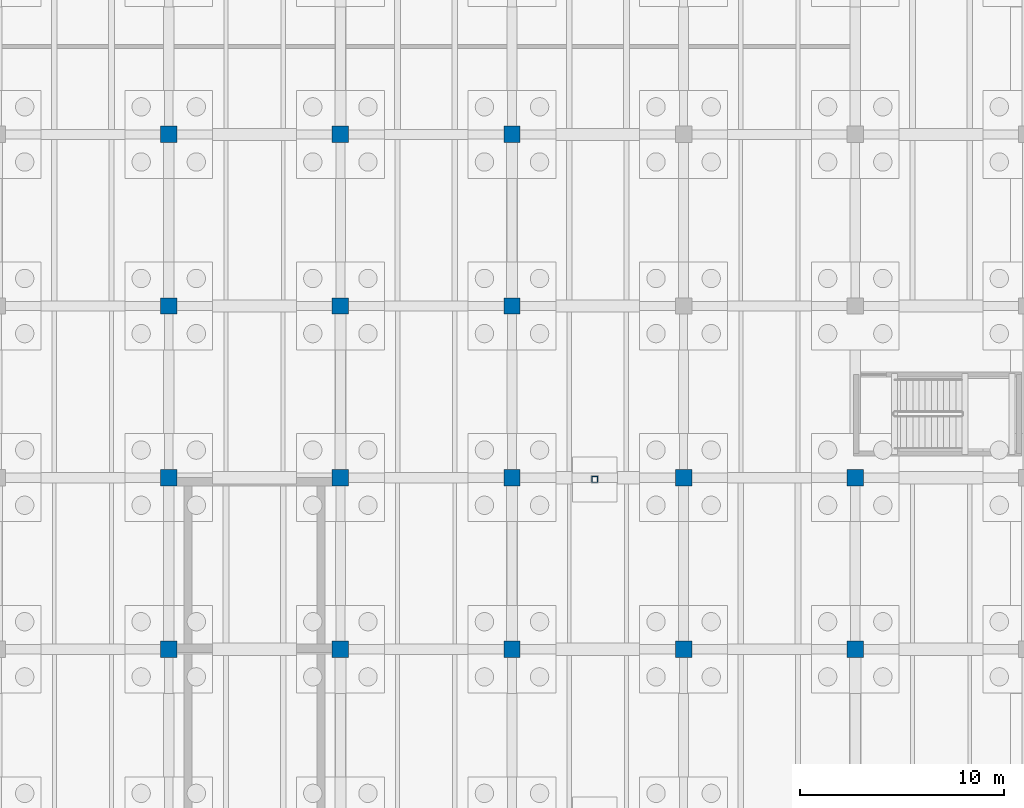
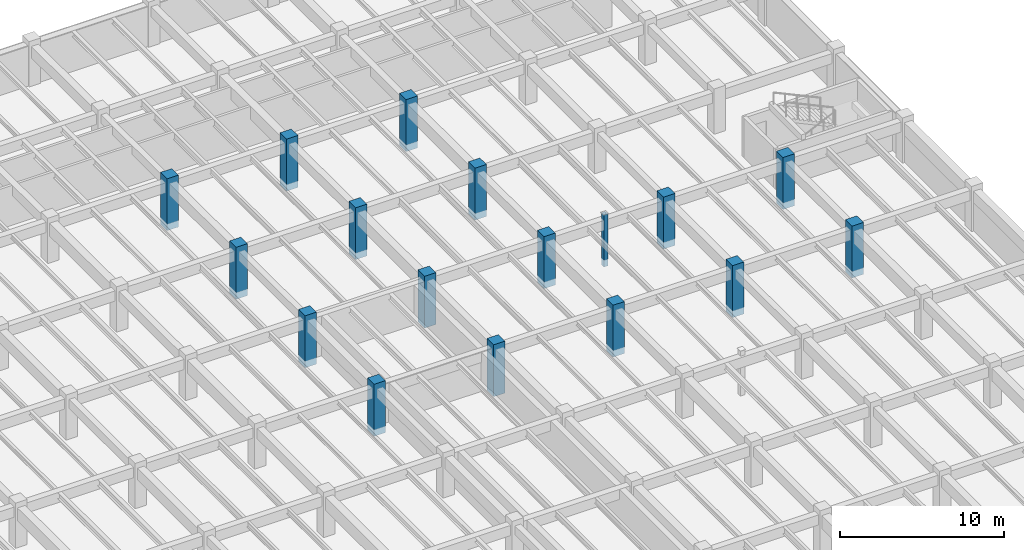
# One storey, part 23 of 70: 17 columns.
"""IFC4 building model written with IfcOpenShell, lengths in metres."""

import ifcopenshell
import ifcopenshell.guid

model = None  # the IFC model being written
_history = None  # IfcOwnerHistory: only IFC2X3 demands one
_inside = {}  # id of a spatial element -> (the spatial element, [elements in it])
_under = {}  # id of a project, library or spatial element -> (it, [spatial elements below it])
_declared = {}  # id of a project -> (the project, [libraries it declares])
_typed = {}  # id of a type object -> (the type object, [elements of that type])
_made_of = {}  # id of a material, layer set ... -> (it, [elements and type objects made of it])


def new_model(schema):
    """Start an empty IFC model of exactly this schema.

    Asked for "IFC4X3", IfcOpenShell would pick the latest addendum, in which some entities
    have other attributes; the version numbers below select the first issue.
    IFC2X3 requires an IfcOwnerHistory on every rooted entity: one is made here for all.
    """
    global model, _history
    if schema == "IFC4X3":
        model = ifcopenshell.file(schema_version=(4, 3, 0, 0))
    else:
        model = ifcopenshell.file(schema=schema)
    _inside.clear()
    _under.clear()
    _declared.clear()
    _typed.clear()
    _made_of.clear()
    _history = None
    if model.schema == "IFC2X3":
        org = make("IfcOrganization", Name="unknown")
        user = make(
            "IfcPersonAndOrganization",
            ThePerson=make("IfcPerson", FamilyName="unknown"),
            TheOrganization=org,
        )
        app = make(
            "IfcApplication",
            ApplicationDeveloper=org,
            Version="unknown",
            ApplicationFullName="unknown",
            ApplicationIdentifier="unknown",
        )
        _history = make(
            "IfcOwnerHistory",
            OwningUser=user,
            OwningApplication=app,
            ChangeAction="ADDED",
            CreationDate=0,
        )
    return model


def make(cls, **values):
    """One entity of the class cls with the attributes given. An attribute that is None is left unset."""
    return model.create_entity(
        cls, **{name: value for name, value in values.items() if value is not None}
    )


def rooted(cls, **values):
    """An entity with a GlobalId (a new one), such as an element, a storey or a relation."""
    return make(cls, GlobalId=ifcopenshell.guid.new(), OwnerHistory=_history, **values)


def si_unit(unit_type, name, prefix=None):
    """IfcSIUnit, for example si_unit("LENGTHUNIT", "METRE", prefix="MILLI")."""
    return make("IfcSIUnit", UnitType=unit_type, Prefix=prefix, Name=name)


def assignment(units):
    """IfcUnitAssignment: the units of a project."""
    return None if units is None else make("IfcUnitAssignment", Units=units)


def point(xyz):
    """IfcCartesianPoint."""
    return None if xyz is None else make("IfcCartesianPoint", Coordinates=xyz)


def direction(xyz):
    """IfcDirection."""
    return None if xyz is None else make("IfcDirection", DirectionRatios=xyz)


def frame(location, z_axis=None, x_axis=None):
    """IfcAxis2Placement3D, a coordinate frame: its origin and axes. An axis left out is left unset."""
    return make(
        "IfcAxis2Placement3D",
        Location=point(location),
        Axis=direction(z_axis),
        RefDirection=direction(x_axis),
    )


def frame_2d(location, x_axis=None):
    """IfcAxis2Placement2D, a coordinate frame in the plane: its origin and x axis."""
    return make(
        "IfcAxis2Placement2D", Location=point(location), RefDirection=direction(x_axis)
    )


def origin():
    """The frame at (0, 0, 0) with its axes left unset."""
    return frame((0.0, 0.0, 0.0))


def origin_2d():
    """The frame at (0, 0) in the plane with its x axis left unset."""
    return frame_2d((0.0, 0.0))


def place(relative_to, where):
    """IfcLocalPlacement: puts the frame where relative to a parent placement (None: the world)."""
    return make(
        "IfcLocalPlacement", PlacementRelTo=relative_to, RelativePlacement=where
    )


def context(
    kind, dimensions, precision=None, world=None, true_north=None, identifier=None
):
    """IfcGeometricRepresentationContext, for example the 3D "Model" context."""
    return make(
        "IfcGeometricRepresentationContext",
        ContextIdentifier=identifier,
        ContextType=kind,
        CoordinateSpaceDimension=dimensions,
        Precision=precision,
        WorldCoordinateSystem=world,
        TrueNorth=true_north,
    )


def subcontext(parent, identifier, kind, view, scale=None):
    """IfcGeometricRepresentationSubContext, for example "Body" below "Model"."""
    return make(
        "IfcGeometricRepresentationSubContext",
        ContextIdentifier=identifier,
        ContextType=kind,
        ParentContext=parent,
        TargetScale=scale,
        TargetView=view,
    )


def project(units=None, contexts=None):
    """IfcProject with its units and contexts."""
    return rooted(
        "IfcProject",
        Name="project",
        RepresentationContexts=contexts,
        UnitsInContext=assignment(units),
    )


def spatial(cls, under=None, at=None, **own):
    """A site, building, storey or space (cls), placed at a placement, below another one or the project."""
    s = rooted(cls, ObjectPlacement=at, **own)
    if under is not None:
        _under.setdefault(under.id(), (under, []))[1].append(s)
    return s


def profile(cls, at=None, kind="AREA", **sizes):
    """A parametric profile (cls). Its sizes go by their IFC names, for example OverallWidth=200.0."""
    return make(cls, ProfileType=kind, Position=at, **sizes)


def rectangle(**sizes):
    """IfcRectangleProfileDef."""
    return profile("IfcRectangleProfileDef", **sizes)


def hollow_rectangle(**sizes):
    """IfcRectangleHollowProfileDef."""
    return profile("IfcRectangleHollowProfileDef", **sizes)


def extrude(swept, where, along, depth):
    """IfcExtrudedAreaSolid: the profile swept, set in the frame where, extruded along a direction by depth."""
    return make(
        "IfcExtrudedAreaSolid",
        SweptArea=swept,
        Position=where,
        ExtrudedDirection=direction(along),
        Depth=depth,
    )


def shape(context_of_items, identifier, shape_type, items):
    """IfcShapeRepresentation: the items that make up one representation, for example the "Body"."""
    return make(
        "IfcShapeRepresentation",
        ContextOfItems=context_of_items,
        RepresentationIdentifier=identifier,
        RepresentationType=shape_type,
        Items=items,
    )


def material(Name=None, Category=None):
    """IfcMaterial."""
    return make("IfcMaterial", Name=Name, Category=Category)


def material_profile(
    of_material, cross_section, Name=None, Category=None, Priority=None
):
    """IfcMaterialProfile: a cross section and its material."""
    return make(
        "IfcMaterialProfile",
        Name=Name,
        Material=of_material,
        Profile=cross_section,
        Priority=Priority,
        Category=Category,
    )


def profile_set(profiles, Name=None, composite=None):
    """IfcMaterialProfileSet."""
    return make(
        "IfcMaterialProfileSet",
        Name=Name,
        MaterialProfiles=profiles,
        CompositeProfile=composite,
    )


def made_of(thing, what):
    """Note that an element or type object is made of a material, layer set ...; save() writes the relation."""
    if what is not None:
        _made_of.setdefault(what.id(), (what, []))[1].append(thing)
    return thing


def type_object(cls, material=None, **own):
    """A type object (cls), such as IfcWallType, which elements share."""
    return made_of(rooted(cls, **own), material)


def element(
    cls,
    number,
    at=None,
    inside=None,
    cuts=None,
    type_object=None,
    material=None,
    context=None,
    identifier="Body",
    shape_type=None,
    held_by="IfcProductDefinitionShape",
    body=None,
    shapes=None,
    **own,
):
    """One element of the class cls, such as IfcWall. Its Tag is "e" and its number.

    at: its placement. inside: the storey or other place that contains it. cuts: it is an
    opening in that element (IfcRelVoidsElement). A single representation is given by context,
    identifier, shape_type and body (its items); several are given by shapes. held_by: the class
    of the entity that holds the representations. save() writes the other relations.
    """
    e = rooted(cls, Tag="e%d" % number, ObjectPlacement=at, **own)
    if body is not None:
        shapes = [shape(context, identifier, shape_type, body)]
    if shapes is not None:
        e.Representation = make(held_by, Representations=shapes)
    if inside is not None:
        _inside.setdefault(inside.id(), (inside, []))[1].append(e)
    if cuts is not None:
        rooted(
            "IfcRelVoidsElement", RelatingBuildingElement=cuts, RelatedOpeningElement=e
        )
    if type_object is not None:
        _typed.setdefault(type_object.id(), (type_object, []))[1].append(e)
    return made_of(e, material)


def aggregate(whole, parts):
    """IfcRelAggregates: a whole, such as a stair, and the parts it consists of."""
    return rooted("IfcRelAggregates", RelatingObject=whole, RelatedObjects=parts)


def save(model, path):
    """Write the relations noted so far, then the file.

    IfcRelAggregates (storeys below a building ...), IfcRelContainedInSpatialStructure (elements
    in a storey), IfcRelDefinesByType, IfcRelAssociatesMaterial and IfcRelDeclares: one each for
    every whole, place, type object, material and project.
    """
    for whole, parts in _under.values():
        aggregate(whole, parts)
    for where, things in _inside.values():
        rooted(
            "IfcRelContainedInSpatialStructure",
            RelatedElements=things,
            RelatingStructure=where,
        )
    for kind, things in _typed.values():
        rooted("IfcRelDefinesByType", RelatedObjects=things, RelatingType=kind)
    for what, things in _made_of.values():
        rooted("IfcRelAssociatesMaterial", RelatedObjects=things, RelatingMaterial=what)
    for by, libraries in _declared.values():
        rooted("IfcRelDeclares", RelatingContext=by, RelatedDefinitions=libraries)
    model.write(path)


model = new_model("IFC4")

# Units and contexts
model_context = context("Model", 3, precision=1e-05, world=origin(), true_north=direction((0.0, 1.0)))
body_context = subcontext(model_context, "Body", "Model", "MODEL_VIEW")
ifc_project = project(units=[si_unit("LENGTHUNIT", "METRE"), si_unit("AREAUNIT", "SQUARE_METRE"), si_unit("VOLUMEUNIT", "CUBIC_METRE"), si_unit("PLANEANGLEUNIT", "RADIAN"), si_unit("MASSUNIT", "GRAM", prefix="KILO")], contexts=[model_context])

# Site, building, storey
site_placement = place(None, origin())
site = spatial("IfcSite", under=ifc_project, at=site_placement, CompositionType="ELEMENT")
building_placement = place(site_placement, origin())
building = spatial("IfcBuilding", under=site, at=building_placement, Name="Cumbredor Promenade Congress Hotel", CompositionType="ELEMENT")
storey_placement = place(building_placement, frame((0.0, 0.0, -7.56005859375)))
storey = spatial("IfcBuildingStorey", under=building, at=storey_placement, Name="B02", CompositionType="ELEMENT", Elevation=-7.56005859375)

# Columns
ifc_material_1 = material(Name="Concrete C50/60", Category="concrete")
ifc_material_profile_1 = material_profile(ifc_material_1, rectangle(XDim=0.800048828125, YDim=0.800048828125, at=origin_2d()), Name="RC 800x800")
ifc_profile_set_1 = profile_set([ifc_material_profile_1], Name="Concrete C50/60")
column_type_1 = type_object("IfcColumnType", Name="COL-RC-800", PredefinedType="COLUMN", material=ifc_profile_set_1)
for number, where, z_axis, x_axis, name in (
    (1, (134.39990234375, 75.60009765625, -0.5), (0.0, 0.0, 1.0), (1.0, 0.0, 0.0), "B02 Structural Column 220"),
    (2, (134.39990234375, 84.0, -0.5), (0.0, 0.0, 1.0), (1.0, 0.0, 0.0), "B02 Structural Column 221"),
    (3, (134.39990234375, 92.39990234375, -0.5), (0.0, 0.0, 1.0), (1.0, 0.0, 0.0), "B02 Structural Column 222"),
    (4, (134.39990234375, 100.800048828125, -0.5), (0.0, 0.0, 1.0), (1.0, 0.0, 0.0), "B02 Structural Column 223"),
    (5, (142.800048828125, 75.60009765625, -0.5), (0.0, 0.0, 1.0), (1.0, 0.0, 0.0), "B02 Structural Column 234"),
    (6, (142.800048828125, 84.0, -0.5), (0.0, 0.0, 1.0), (1.0, 0.0, 0.0), "B02 Structural Column 235"),
    (7, (142.800048828125, 92.39990234375, -0.5), (0.0, 0.0, 1.0), (1.0, 0.0, 0.0), "B02 Structural Column 236"),
    (8, (142.800048828125, 100.800048828125, -0.5), (0.0, 0.0, 1.0), (1.0, 0.0, 0.0), "B02 Structural Column 237"),
    (9, (151.199951171875, 75.60009765625, -0.5), (0.0, 0.0, 1.0), (1.0, 0.0, 0.0), "B02 Structural Column 248"),
    (10, (151.199951171875, 84.0, -0.5), (0.0, 0.0, 1.0), (1.0, 0.0, 0.0), "B02 Structural Column 249"),
    (11, (151.199951171875, 92.39990234375, -0.5), (0.0, 0.0, 1.0), (1.0, 0.0, 0.0), "B02 Structural Column 250"),
    (12, (151.199951171875, 100.800048828125, -0.5), (0.0, 0.0, 1.0), (1.0, 0.0, 0.0), "B02 Structural Column 251"),
    (13, (159.60009765625, 75.60009765625, -0.5), (0.0, 0.0, 1.0), (1.0, 0.0, 0.0), "B02 Structural Column 262"),
    (14, (159.60009765625, 84.0, -0.5), (0.0, 0.0, 1.0), (1.0, 0.0, 0.0), "B02 Structural Column 263"),
    (15, (168.0, 75.60009765625, -0.5), (0.0, 0.0, 1.0), (1.0, 0.0, 0.0), "B02 Structural Column 276"),
    (16, (168.0, 84.0, -0.5), (0.0, 0.0, 1.0), (1.0, 0.0, 0.0), "B02 Structural Column 277"),
):
    element("IfcColumn", number, at=place(storey_placement, frame(where, z_axis=z_axis, x_axis=x_axis)), inside=storey, type_object=column_type_1, Name=name, PredefinedType="COLUMN", context=body_context, shape_type="SweptSolid", body=[
        extrude(rectangle(XDim=0.800048828125, YDim=0.800048828125, at=origin_2d()), origin(), (0.0, 0.0, 1.0), 3.860107421875),
    ])
ifc_material_2 = material(Name="Steel ASTM A500 Grade C", Category="steel")
ifc_material_profile_2 = material_profile(ifc_material_2, hollow_rectangle(XDim=0.300048828125, YDim=0.300048828125, WallThickness=0.01611328125, at=origin_2d()), Name="HSS 300x300x16")
ifc_profile_set_2 = profile_set([ifc_material_profile_2], Name="Steel ASTM A500 Grade C")
column_type_2 = type_object("IfcColumnType", Name="COL-STL-HSS300", PredefinedType="COLUMN", material=ifc_profile_set_2)
column_placement = place(storey_placement, frame((155.25, 83.919921875, -0.5), z_axis=(0.0, 0.0, 1.0), x_axis=(1.0, 0.0, 0.0)))
element("IfcColumn", 17, at=column_placement, inside=storey, type_object=column_type_2, Name="East Ballroom-to-Forum Glazed Bridge B02 Substructure Pier 4", PredefinedType="COLUMN", context=body_context, shape_type="SweptSolid", body=[
    extrude(hollow_rectangle(XDim=0.300048828125, YDim=0.300048828125, WallThickness=0.01611328125, at=origin_2d()), origin(), (0.0, 0.0, 1.0), 3.860107421875),
])

save(model, "model.ifc")
